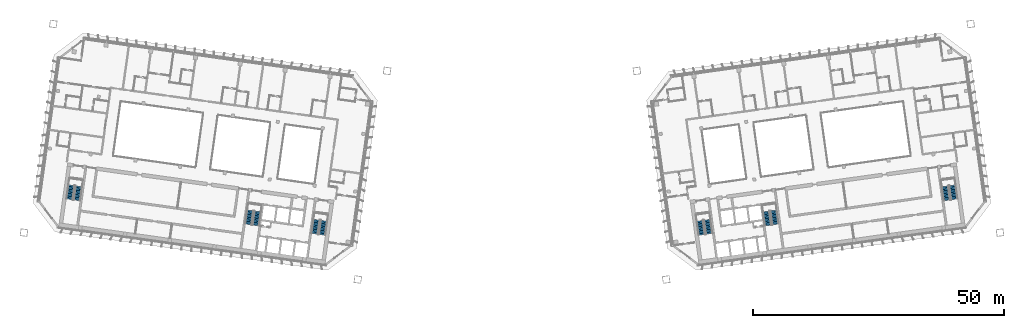
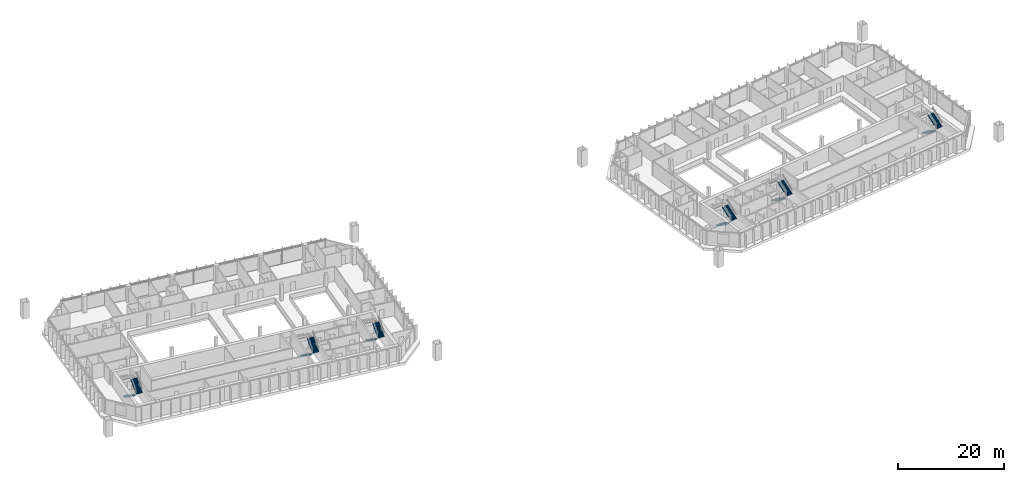
# One storey, part 23 of 26: 12 stair flights, 6 elements without a shape of their own.
"""IFC4 building model written with IfcOpenShell, lengths in metres."""

from ifc_helpers import new_model, si_unit, direction, frame, origin, place, context, subcontext, project, spatial, polyline, outline, extrude, material, type_object, element, aggregate, save


model = new_model("IFC4")

# Units and contexts
model_context = context("Model", 3, precision=1e-05, world=origin(), true_north=direction((0.0, 1.0)))
body_context = subcontext(model_context, "Body", "Model", "MODEL_VIEW")
ifc_project = project(units=[si_unit("LENGTHUNIT", "METRE"), si_unit("AREAUNIT", "SQUARE_METRE"), si_unit("VOLUMEUNIT", "CUBIC_METRE"), si_unit("PLANEANGLEUNIT", "RADIAN"), si_unit("MASSUNIT", "GRAM", prefix="KILO")], contexts=[model_context])

# Site, building, storey
site_placement = place(None, origin())
site = spatial("IfcSite", under=ifc_project, at=site_placement, CompositionType="ELEMENT")
building_placement = place(site_placement, origin())
building = spatial("IfcBuilding", under=site, at=building_placement, Name="Mirante Cascada Hotel Towers", CompositionType="ELEMENT")
storey_placement = place(building_placement, frame((0.0, 0.0, 161.2)))
storey = spatial("IfcBuildingStorey", under=building, at=storey_placement, Name="L37", CompositionType="ELEMENT", Elevation=161.2)

# Stair, stair flights
ifc_material_1 = material(Name="Concrete C35/45", Category="concrete")
stair_type = type_object("IfcStairType", Name="Exit stair half-turn 1350 concrete C35/45", PredefinedType="HALF_TURN_STAIR", material=ifc_material_1)
stair_1_placement = place(storey_placement, origin())
stair_1 = element("IfcStair", 1, at=stair_1_placement, inside=storey, type_object=stair_type, Name="L37 Exit stair A", PredefinedType="HALF_TURN_STAIR")
ifc_material_2 = material(Name="Concrete C35/45", Category="concrete")
stair_flight_type = type_object("IfcStairFlightType", Name="Exit stair flight 1350 concrete C35/45", PredefinedType="STRAIGHT", material=ifc_material_2)
stair_flight_1_placement = place(storey_placement, frame((-38.9417, -11.195, 0.0), z_axis=(0.0, 0.0, 1.0), x_axis=(-0.1391731, -0.9902681, 0.0)))
stair_flight_1 = element("IfcStairFlight", 2, at=stair_flight_1_placement, type_object=stair_flight_type, Name="ST1-A flight 1", NumberOfRisers=11, NumberOfTreads=10, PredefinedType="STRAIGHT", RiserHeight=0.172727273, TreadLength=0.28, context=body_context, shape_type="SweptSolid", body=[
    extrude(outline(polyline([(0.0, 0.0), (0.0, 0.1727), (0.28, 0.1727), (0.28, 0.3455), (0.56, 0.3455), (0.56, 0.5182), (0.84, 0.5182), (0.84, 0.6909), (1.12, 0.6909), (1.12, 0.8636), (1.4, 0.8636), (1.4, 1.0364), (1.68, 1.0364), (1.68, 1.2091), (1.96, 1.2091), (1.96, 1.3818), (2.24, 1.3818), (2.24, 1.5545), (2.52, 1.5545), (2.52, 1.7273), (2.8, 1.7273), (2.8, 1.9), (2.8, 1.551), (0.2857, 0.0), (0.0, 0.0)])), frame((0.0, 0.675, 0.0), z_axis=(0.0, -1.0, 0.0), x_axis=(1.0, 0.0, 0.0)), (0.0, 0.0, 1.0), 1.35),
])
stair_flight_2_placement = place(storey_placement, frame((-37.846, -14.1765, 1.9), z_axis=(0.0, 0.0, 1.0), x_axis=(0.1391731, 0.9902681, 0.0)))
stair_flight_2 = element("IfcStairFlight", 3, at=stair_flight_2_placement, type_object=stair_flight_type, Name="ST1-A flight 2", NumberOfRisers=11, NumberOfTreads=10, PredefinedType="STRAIGHT", RiserHeight=0.172727273, TreadLength=0.28, context=body_context, shape_type="SweptSolid", body=[
    extrude(outline(polyline([(0.0, 0.0), (0.0, 0.1727), (0.28, 0.1727), (0.28, 0.3455), (0.56, 0.3455), (0.56, 0.5182), (0.84, 0.5182), (0.84, 0.6909), (1.12, 0.6909), (1.12, 0.8636), (1.4, 0.8636), (1.4, 1.0364), (1.68, 1.0364), (1.68, 1.2091), (1.96, 1.2091), (1.96, 1.3818), (2.24, 1.3818), (2.24, 1.5545), (2.52, 1.5545), (2.52, 1.7273), (2.8, 1.7273), (2.8, 1.9), (2.8, 1.551), (0.2857, 0.0), (0.0, 0.0)])), frame((0.0, 0.675, 0.0), z_axis=(0.0, -1.0, 0.0), x_axis=(1.0, 0.0, 0.0)), (0.0, 0.0, 1.0), 1.35),
])
aggregate(stair_1, [stair_flight_1, stair_flight_2])

stair_2_placement = place(storey_placement, origin())
stair_2 = element("IfcStair", 4, at=stair_2_placement, inside=storey, type_object=stair_type, Name="L37 Exit stair B", PredefinedType="HALF_TURN_STAIR")
stair_flight_3_placement = place(storey_placement, frame((-52.1618, -9.3371, 0.0), z_axis=(0.0, 0.0, 1.0), x_axis=(-0.1391731, -0.9902681, 0.0)))
stair_flight_3 = element("IfcStairFlight", 5, at=stair_flight_3_placement, type_object=stair_flight_type, Name="ST1-B flight 1", NumberOfRisers=11, NumberOfTreads=10, PredefinedType="STRAIGHT", RiserHeight=0.172727273, TreadLength=0.28, context=body_context, shape_type="SweptSolid", body=[
    extrude(outline(polyline([(0.0, 0.0), (0.0, 0.1727), (0.28, 0.1727), (0.28, 0.3455), (0.56, 0.3455), (0.56, 0.5182), (0.84, 0.5182), (0.84, 0.6909), (1.12, 0.6909), (1.12, 0.8636), (1.4, 0.8636), (1.4, 1.0364), (1.68, 1.0364), (1.68, 1.2091), (1.96, 1.2091), (1.96, 1.3818), (2.24, 1.3818), (2.24, 1.5545), (2.52, 1.5545), (2.52, 1.7273), (2.8, 1.7273), (2.8, 1.9), (2.8, 1.551), (0.2857, 0.0), (0.0, 0.0)])), frame((0.0, 0.675, 0.0), z_axis=(0.0, -1.0, 0.0), x_axis=(1.0, 0.0, 0.0)), (0.0, 0.0, 1.0), 1.35),
])
stair_flight_4_placement = place(storey_placement, frame((-51.0661, -12.3186, 1.9), z_axis=(0.0, 0.0, 1.0), x_axis=(0.1391731, 0.9902681, 0.0)))
stair_flight_4 = element("IfcStairFlight", 6, at=stair_flight_4_placement, type_object=stair_flight_type, Name="ST1-B flight 2", NumberOfRisers=11, NumberOfTreads=10, PredefinedType="STRAIGHT", RiserHeight=0.172727273, TreadLength=0.28, context=body_context, shape_type="SweptSolid", body=[
    extrude(outline(polyline([(0.0, 0.0), (0.0, 0.1727), (0.28, 0.1727), (0.28, 0.3455), (0.56, 0.3455), (0.56, 0.5182), (0.84, 0.5182), (0.84, 0.6909), (1.12, 0.6909), (1.12, 0.8636), (1.4, 0.8636), (1.4, 1.0364), (1.68, 1.0364), (1.68, 1.2091), (1.96, 1.2091), (1.96, 1.3818), (2.24, 1.3818), (2.24, 1.5545), (2.52, 1.5545), (2.52, 1.7273), (2.8, 1.7273), (2.8, 1.9), (2.8, 1.551), (0.2857, 0.0), (0.0, 0.0)])), frame((0.0, 0.675, 0.0), z_axis=(0.0, -1.0, 0.0), x_axis=(1.0, 0.0, 0.0)), (0.0, 0.0, 1.0), 1.35),
])
aggregate(stair_2, [stair_flight_3, stair_flight_4])

stair_3_placement = place(storey_placement, origin())
stair_3 = element("IfcStair", 7, at=stair_3_placement, inside=storey, type_object=stair_type, Name="L37 Exit stair C", PredefinedType="HALF_TURN_STAIR")
stair_flight_5_placement = place(storey_placement, frame((-87.8115, -4.3268, 0.0), z_axis=(0.0, 0.0, 1.0), x_axis=(-0.1391731, -0.9902681, 0.0)))
stair_flight_5 = element("IfcStairFlight", 8, at=stair_flight_5_placement, type_object=stair_flight_type, Name="ST1-C flight 1", NumberOfRisers=11, NumberOfTreads=10, PredefinedType="STRAIGHT", RiserHeight=0.172727273, TreadLength=0.28, context=body_context, shape_type="SweptSolid", body=[
    extrude(outline(polyline([(0.0, 0.0), (0.0, 0.1727), (0.28, 0.1727), (0.28, 0.3455), (0.56, 0.3455), (0.56, 0.5182), (0.84, 0.5182), (0.84, 0.6909), (1.12, 0.6909), (1.12, 0.8636), (1.4, 0.8636), (1.4, 1.0364), (1.68, 1.0364), (1.68, 1.2091), (1.96, 1.2091), (1.96, 1.3818), (2.24, 1.3818), (2.24, 1.5545), (2.52, 1.5545), (2.52, 1.7273), (2.8, 1.7273), (2.8, 1.9), (2.8, 1.551), (0.2857, 0.0), (0.0, 0.0)])), frame((0.0, 0.675, 0.0), z_axis=(0.0, -1.0, 0.0), x_axis=(1.0, 0.0, 0.0)), (0.0, 0.0, 1.0), 1.35),
])
stair_flight_6_placement = place(storey_placement, frame((-86.7157, -7.3084, 1.9), z_axis=(0.0, 0.0, 1.0), x_axis=(0.1391731, 0.9902681, 0.0)))
stair_flight_6 = element("IfcStairFlight", 9, at=stair_flight_6_placement, type_object=stair_flight_type, Name="ST1-C flight 2", NumberOfRisers=11, NumberOfTreads=10, PredefinedType="STRAIGHT", RiserHeight=0.172727273, TreadLength=0.28, context=body_context, shape_type="SweptSolid", body=[
    extrude(outline(polyline([(0.0, 0.0), (0.0, 0.1727), (0.28, 0.1727), (0.28, 0.3455), (0.56, 0.3455), (0.56, 0.5182), (0.84, 0.5182), (0.84, 0.6909), (1.12, 0.6909), (1.12, 0.8636), (1.4, 0.8636), (1.4, 1.0364), (1.68, 1.0364), (1.68, 1.2091), (1.96, 1.2091), (1.96, 1.3818), (2.24, 1.3818), (2.24, 1.5545), (2.52, 1.5545), (2.52, 1.7273), (2.8, 1.7273), (2.8, 1.9), (2.8, 1.551), (0.2857, 0.0), (0.0, 0.0)])), frame((0.0, 0.675, 0.0), z_axis=(0.0, -1.0, 0.0), x_axis=(1.0, 0.0, 0.0)), (0.0, 0.0, 1.0), 1.35),
])
aggregate(stair_3, [stair_flight_5, stair_flight_6])

stair_4_placement = place(storey_placement, origin())
stair_4 = element("IfcStair", 10, at=stair_4_placement, inside=storey, type_object=stair_type, Name="L37 Exit stair A", PredefinedType="HALF_TURN_STAIR")
stair_flight_7_placement = place(storey_placement, frame((37.4563, -11.4038, 0.0), z_axis=(0.0, 0.0, 1.0), x_axis=(0.1391731, -0.9902681, 0.0)))
stair_flight_7 = element("IfcStairFlight", 11, at=stair_flight_7_placement, type_object=stair_flight_type, Name="ST2-A flight 1", NumberOfRisers=11, NumberOfTreads=10, PredefinedType="STRAIGHT", RiserHeight=0.172727273, TreadLength=0.28, context=body_context, shape_type="SweptSolid", body=[
    extrude(outline(polyline([(0.0, 0.0), (0.0, 0.1727), (0.28, 0.1727), (0.28, 0.3455), (0.56, 0.3455), (0.56, 0.5182), (0.84, 0.5182), (0.84, 0.6909), (1.12, 0.6909), (1.12, 0.8636), (1.4, 0.8636), (1.4, 1.0364), (1.68, 1.0364), (1.68, 1.2091), (1.96, 1.2091), (1.96, 1.3818), (2.24, 1.3818), (2.24, 1.5545), (2.52, 1.5545), (2.52, 1.7273), (2.8, 1.7273), (2.8, 1.9), (2.8, 1.551), (0.2857, 0.0), (0.0, 0.0)])), frame((0.0, 0.675, 0.0), z_axis=(0.0, -1.0, 0.0), x_axis=(1.0, 0.0, 0.0)), (0.0, 0.0, 1.0), 1.35),
])
stair_flight_8_placement = place(storey_placement, frame((39.3314, -13.9678, 1.9), z_axis=(0.0, 0.0, 1.0), x_axis=(-0.1391731, 0.9902681, 0.0)))
stair_flight_8 = element("IfcStairFlight", 12, at=stair_flight_8_placement, type_object=stair_flight_type, Name="ST2-A flight 2", NumberOfRisers=11, NumberOfTreads=10, PredefinedType="STRAIGHT", RiserHeight=0.172727273, TreadLength=0.28, context=body_context, shape_type="SweptSolid", body=[
    extrude(outline(polyline([(0.0, 0.0), (0.0, 0.1727), (0.28, 0.1727), (0.28, 0.3455), (0.56, 0.3455), (0.56, 0.5182), (0.84, 0.5182), (0.84, 0.6909), (1.12, 0.6909), (1.12, 0.8636), (1.4, 0.8636), (1.4, 1.0364), (1.68, 1.0364), (1.68, 1.2091), (1.96, 1.2091), (1.96, 1.3818), (2.24, 1.3818), (2.24, 1.5545), (2.52, 1.5545), (2.52, 1.7273), (2.8, 1.7273), (2.8, 1.9), (2.8, 1.551), (0.2857, 0.0), (0.0, 0.0)])), frame((0.0, 0.675, 0.0), z_axis=(0.0, -1.0, 0.0), x_axis=(1.0, 0.0, 0.0)), (0.0, 0.0, 1.0), 1.35),
])
aggregate(stair_4, [stair_flight_7, stair_flight_8])

stair_5_placement = place(storey_placement, origin())
stair_5 = element("IfcStair", 13, at=stair_5_placement, inside=storey, type_object=stair_type, Name="L37 Exit stair B", PredefinedType="HALF_TURN_STAIR")
stair_flight_9_placement = place(storey_placement, frame((50.6764, -9.5458, 0.0), z_axis=(0.0, 0.0, 1.0), x_axis=(0.1391731, -0.9902681, 0.0)))
stair_flight_9 = element("IfcStairFlight", 14, at=stair_flight_9_placement, type_object=stair_flight_type, Name="ST2-B flight 1", NumberOfRisers=11, NumberOfTreads=10, PredefinedType="STRAIGHT", RiserHeight=0.172727273, TreadLength=0.28, context=body_context, shape_type="SweptSolid", body=[
    extrude(outline(polyline([(0.0, 0.0), (0.0, 0.1727), (0.28, 0.1727), (0.28, 0.3455), (0.56, 0.3455), (0.56, 0.5182), (0.84, 0.5182), (0.84, 0.6909), (1.12, 0.6909), (1.12, 0.8636), (1.4, 0.8636), (1.4, 1.0364), (1.68, 1.0364), (1.68, 1.2091), (1.96, 1.2091), (1.96, 1.3818), (2.24, 1.3818), (2.24, 1.5545), (2.52, 1.5545), (2.52, 1.7273), (2.8, 1.7273), (2.8, 1.9), (2.8, 1.551), (0.2857, 0.0), (0.0, 0.0)])), frame((0.0, 0.675, 0.0), z_axis=(0.0, -1.0, 0.0), x_axis=(1.0, 0.0, 0.0)), (0.0, 0.0, 1.0), 1.35),
])
stair_flight_10_placement = place(storey_placement, frame((52.5515, -12.1098, 1.9), z_axis=(0.0, 0.0, 1.0), x_axis=(-0.1391731, 0.9902681, 0.0)))
stair_flight_10 = element("IfcStairFlight", 15, at=stair_flight_10_placement, type_object=stair_flight_type, Name="ST2-B flight 2", NumberOfRisers=11, NumberOfTreads=10, PredefinedType="STRAIGHT", RiserHeight=0.172727273, TreadLength=0.28, context=body_context, shape_type="SweptSolid", body=[
    extrude(outline(polyline([(0.0, 0.0), (0.0, 0.1727), (0.28, 0.1727), (0.28, 0.3455), (0.56, 0.3455), (0.56, 0.5182), (0.84, 0.5182), (0.84, 0.6909), (1.12, 0.6909), (1.12, 0.8636), (1.4, 0.8636), (1.4, 1.0364), (1.68, 1.0364), (1.68, 1.2091), (1.96, 1.2091), (1.96, 1.3818), (2.24, 1.3818), (2.24, 1.5545), (2.52, 1.5545), (2.52, 1.7273), (2.8, 1.7273), (2.8, 1.9), (2.8, 1.551), (0.2857, 0.0), (0.0, 0.0)])), frame((0.0, 0.675, 0.0), z_axis=(0.0, -1.0, 0.0), x_axis=(1.0, 0.0, 0.0)), (0.0, 0.0, 1.0), 1.35),
])
aggregate(stair_5, [stair_flight_9, stair_flight_10])

stair_6_placement = place(storey_placement, origin())
stair_6 = element("IfcStair", 16, at=stair_6_placement, inside=storey, type_object=stair_type, Name="L37 Exit stair C", PredefinedType="HALF_TURN_STAIR")
stair_flight_11_placement = place(storey_placement, frame((86.326, -4.5356, 0.0), z_axis=(0.0, 0.0, 1.0), x_axis=(0.1391731, -0.9902681, 0.0)))
stair_flight_11 = element("IfcStairFlight", 17, at=stair_flight_11_placement, type_object=stair_flight_type, Name="ST2-C flight 1", NumberOfRisers=11, NumberOfTreads=10, PredefinedType="STRAIGHT", RiserHeight=0.172727273, TreadLength=0.28, context=body_context, shape_type="SweptSolid", body=[
    extrude(outline(polyline([(0.0, 0.0), (0.0, 0.1727), (0.28, 0.1727), (0.28, 0.3455), (0.56, 0.3455), (0.56, 0.5182), (0.84, 0.5182), (0.84, 0.6909), (1.12, 0.6909), (1.12, 0.8636), (1.4, 0.8636), (1.4, 1.0364), (1.68, 1.0364), (1.68, 1.2091), (1.96, 1.2091), (1.96, 1.3818), (2.24, 1.3818), (2.24, 1.5545), (2.52, 1.5545), (2.52, 1.7273), (2.8, 1.7273), (2.8, 1.9), (2.8, 1.551), (0.2857, 0.0), (0.0, 0.0)])), frame((0.0, 0.675, 0.0), z_axis=(0.0, -1.0, 0.0), x_axis=(1.0, 0.0, 0.0)), (0.0, 0.0, 1.0), 1.35),
])
stair_flight_12_placement = place(storey_placement, frame((88.2011, -7.0996, 1.9), z_axis=(0.0, 0.0, 1.0), x_axis=(-0.1391731, 0.9902681, 0.0)))
stair_flight_12 = element("IfcStairFlight", 18, at=stair_flight_12_placement, type_object=stair_flight_type, Name="ST2-C flight 2", NumberOfRisers=11, NumberOfTreads=10, PredefinedType="STRAIGHT", RiserHeight=0.172727273, TreadLength=0.28, context=body_context, shape_type="SweptSolid", body=[
    extrude(outline(polyline([(0.0, 0.0), (0.0, 0.1727), (0.28, 0.1727), (0.28, 0.3455), (0.56, 0.3455), (0.56, 0.5182), (0.84, 0.5182), (0.84, 0.6909), (1.12, 0.6909), (1.12, 0.8636), (1.4, 0.8636), (1.4, 1.0364), (1.68, 1.0364), (1.68, 1.2091), (1.96, 1.2091), (1.96, 1.3818), (2.24, 1.3818), (2.24, 1.5545), (2.52, 1.5545), (2.52, 1.7273), (2.8, 1.7273), (2.8, 1.9), (2.8, 1.551), (0.2857, 0.0), (0.0, 0.0)])), frame((0.0, 0.675, 0.0), z_axis=(0.0, -1.0, 0.0), x_axis=(1.0, 0.0, 0.0)), (0.0, 0.0, 1.0), 1.35),
])
aggregate(stair_6, [stair_flight_11, stair_flight_12])

save(model, "model.ifc")
